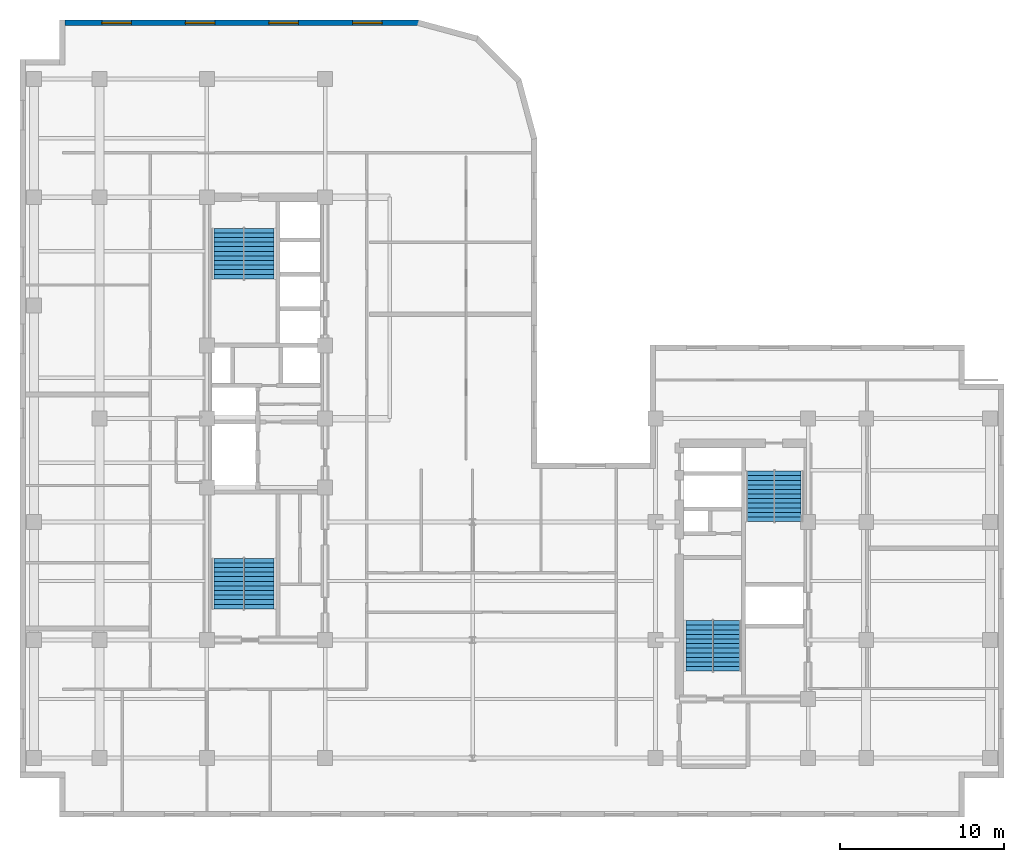
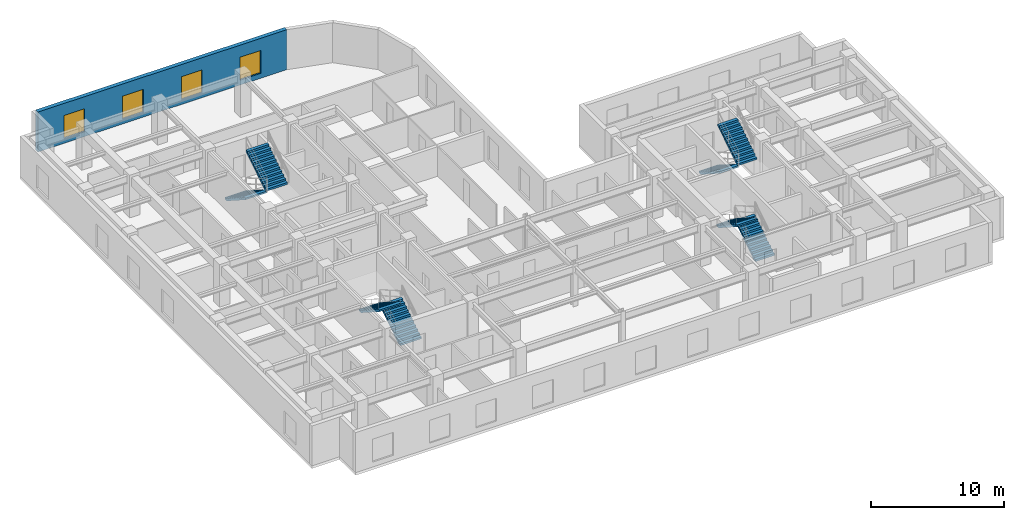
# One storey, part 8 of 11: 8 stair flights, 4 windows, 1 wall, 4 openings, 4 elements without a shape of their own.
"""IFC4 building model written with IfcOpenShell, lengths in metres."""

from ifc_helpers import new_model, entity, si_unit, converted_unit, direction, frame, origin_with_axes, origin_2d_with_axis, place, context, subcontext, project, spatial, polyline, rectangle, outline, extrude, material, layer, layer_set, type_object, element, fill, aggregate, save


model = new_model("IFC4")

# Units and contexts
model_context = context("Model", 3, precision=1e-05, world=origin_with_axes(), true_north=direction((0.0, 1.0)))
body_context = subcontext(model_context, "Body", "Model", "MODEL_VIEW")
ifc_project = project(units=[si_unit("LENGTHUNIT", "METRE"), si_unit("AREAUNIT", "SQUARE_METRE"), si_unit("VOLUMEUNIT", "CUBIC_METRE"), converted_unit("PLANEANGLEUNIT", "DEGREE", entity("IfcPlaneAngleMeasure", 0.017453292519943295), si_unit("PLANEANGLEUNIT", "RADIAN"), dimensions=[0, 0, 0, 0, 0, 0, 0]), si_unit("MASSUNIT", "GRAM", prefix="KILO"), si_unit("THERMODYNAMICTEMPERATUREUNIT", "KELVIN")], contexts=[model_context])

# Site, building, storey
site_placement = place(None, origin_with_axes())
site = spatial("IfcSite", under=ifc_project, at=site_placement, CompositionType="ELEMENT")
building_placement = place(site_placement, origin_with_axes())
building = spatial("IfcBuilding", under=site, at=building_placement, Name="Varnlund Millrace Tower", CompositionType="ELEMENT")
storey_placement = place(building_placement, frame((0.0, 0.0, 212.1), z_axis=(0.0, 0.0, 1.0), x_axis=(1.0, 0.0, 0.0)))
storey = spatial("IfcBuildingStorey", under=building, at=storey_placement, Name="L52", CompositionType="ELEMENT", Elevation=212.1)

# Wall, openings, windows
ifc_material_1 = material(Name="Precast concrete C50/60", Category="concrete")
ifc_layer = layer(ifc_material_1, 0.34, Name="Precast concrete C50/60")
ifc_layer_set = layer_set([ifc_layer], Name="Precast concrete C50/60")
wall_type = type_object("IfcWallType", Name="Type-ExtWall-Precast-Upper-340", PredefinedType="SOLIDWALL", material=ifc_layer_set)
wall_placement = place(storey_placement, frame((2.74, 48.43, 0.0), z_axis=(0.0, 0.0, 1.0), x_axis=(1.0, 0.0, 0.0)))
wall = element("IfcWall", 1, at=wall_placement, inside=storey, type_object=wall_type, Name="Type-ExtWall-Precast-Upper-340", PredefinedType="SOLIDWALL", context=body_context, shape_type="SweptSolid", body=[
    extrude(outline(polyline([(0.0, -0.17), (21.585, -0.17), (21.585, 0.17), (0.0, 0.17), (0.0, -0.17)])), origin_with_axes(), (0.0, 0.0, 1.0), 3.66),
])
opening_1_placement = place(wall_placement, frame((3.148, 0.0, 0.45), z_axis=(0.0, 0.0, 1.0), x_axis=(1.0, 0.0, 0.0)))
opening_1 = element("IfcOpeningElement", 2, at=opening_1_placement, cuts=wall, Name="Opening L52:WN-25", PredefinedType="OPENING", context=body_context, shape_type="SweptSolid", body=[
    extrude(rectangle(XDim=1.8, YDim=0.36, at=origin_2d_with_axis()), origin_with_axes(), (0.0, 0.0, 1.0), 2.1),
])
opening_2_placement = place(wall_placement, frame((8.244, 0.0, 0.45), z_axis=(0.0, 0.0, 1.0), x_axis=(1.0, 0.0, 0.0)))
opening_2 = element("IfcOpeningElement", 3, at=opening_2_placement, cuts=wall, Name="Opening L52:WN-26", PredefinedType="OPENING", context=body_context, shape_type="SweptSolid", body=[
    extrude(rectangle(XDim=1.8, YDim=0.36, at=origin_2d_with_axis()), origin_with_axes(), (0.0, 0.0, 1.0), 2.1),
])
opening_3_placement = place(wall_placement, frame((13.341, 0.0, 0.45), z_axis=(0.0, 0.0, 1.0), x_axis=(1.0, 0.0, 0.0)))
opening_3 = element("IfcOpeningElement", 4, at=opening_3_placement, cuts=wall, Name="Opening L52:WN-27", PredefinedType="OPENING", context=body_context, shape_type="SweptSolid", body=[
    extrude(rectangle(XDim=1.8, YDim=0.36, at=origin_2d_with_axis()), origin_with_axes(), (0.0, 0.0, 1.0), 2.1),
])
opening_4_placement = place(wall_placement, frame((18.437, 0.0, 0.45), z_axis=(0.0, 0.0, 1.0), x_axis=(1.0, 0.0, 0.0)))
opening_4 = element("IfcOpeningElement", 5, at=opening_4_placement, cuts=wall, Name="Opening L52:WN-28", PredefinedType="OPENING", context=body_context, shape_type="SweptSolid", body=[
    extrude(rectangle(XDim=1.8, YDim=0.36, at=origin_2d_with_axis()), origin_with_axes(), (0.0, 0.0, 1.0), 2.1),
])
ifc_material_2 = material(Name="Argon low-e triple glazing in thermally broken bronze frame", Category="glass")
window_type = type_object("IfcWindowType", Name="Type-Window-Punched-1800X2100", PartitioningType="SINGLE_PANEL", PredefinedType="WINDOW", material=ifc_material_2)
window_1_placement = place(wall_placement, frame((3.148, 0.0, 0.45), z_axis=(0.0, 0.0, 1.0), x_axis=(1.0, 0.0, 0.0)))
window_1 = element("IfcWindow", 6, at=window_1_placement, inside=storey, type_object=window_type, Name="Type-Window-Punched-1800X2100", OverallHeight=2.1, OverallWidth=1.8, PredefinedType="WINDOW", context=body_context, shape_type="SweptSolid", body=[
    extrude(rectangle(XDim=1.8, YDim=0.09, at=origin_2d_with_axis()), origin_with_axes(), (0.0, 0.0, 1.0), 2.1),
])
fill(opening_1, window_1)
window_2_placement = place(wall_placement, frame((8.244, 0.0, 0.45), z_axis=(0.0, 0.0, 1.0), x_axis=(1.0, 0.0, 0.0)))
window_2 = element("IfcWindow", 7, at=window_2_placement, inside=storey, type_object=window_type, Name="Type-Window-Punched-1800X2100", OverallHeight=2.1, OverallWidth=1.8, PredefinedType="WINDOW", context=body_context, shape_type="SweptSolid", body=[
    extrude(rectangle(XDim=1.8, YDim=0.09, at=origin_2d_with_axis()), origin_with_axes(), (0.0, 0.0, 1.0), 2.1),
])
fill(opening_2, window_2)
window_3_placement = place(wall_placement, frame((13.341, 0.0, 0.45), z_axis=(0.0, 0.0, 1.0), x_axis=(1.0, 0.0, 0.0)))
window_3 = element("IfcWindow", 8, at=window_3_placement, inside=storey, type_object=window_type, Name="Type-Window-Punched-1800X2100", OverallHeight=2.1, OverallWidth=1.8, PredefinedType="WINDOW", context=body_context, shape_type="SweptSolid", body=[
    extrude(rectangle(XDim=1.8, YDim=0.09, at=origin_2d_with_axis()), origin_with_axes(), (0.0, 0.0, 1.0), 2.1),
])
fill(opening_3, window_3)
window_4_placement = place(wall_placement, frame((18.437, 0.0, 0.45), z_axis=(0.0, 0.0, 1.0), x_axis=(1.0, 0.0, 0.0)))
window_4 = element("IfcWindow", 9, at=window_4_placement, inside=storey, type_object=window_type, Name="Type-Window-Punched-1800X2100", OverallHeight=2.1, OverallWidth=1.8, PredefinedType="WINDOW", context=body_context, shape_type="SweptSolid", body=[
    extrude(rectangle(XDim=1.8, YDim=0.09, at=origin_2d_with_axis()), origin_with_axes(), (0.0, 0.0, 1.0), 2.1),
])
fill(opening_4, window_4)

# Stair, stair flights
ifc_material_3 = material(Name="Concrete C50/60", Category="concrete")
stair_type_1 = type_object("IfcStairType", Name="Type-Stair-Dogleg-165-390", PredefinedType="HALF_TURN_STAIR", material=ifc_material_3)
stair_1_placement = place(storey_placement, origin_with_axes())
stair_1 = element("IfcStair", 10, at=stair_1_placement, inside=storey, type_object=stair_type_1, Name="Type-Stair-Dogleg-165-390", PredefinedType="HALF_TURN_STAIR")
stair_flight_type_1 = type_object("IfcStairFlightType", Name="Type-Dogleg-Run-165-390", PredefinedType="STRAIGHT", material=ifc_material_1)
stair_flight_1_placement = place(storey_placement, frame((42.225, 8.9, 0.0), z_axis=(1.0, 0.0, 0.0), x_axis=(0.0, 1.0, 0.0)))
stair_flight_1 = element("IfcStairFlight", 11, at=stair_flight_1_placement, type_object=stair_flight_type_1, Name="ST-B1 flight 1", NumberOfRisers=11, NumberOfTreads=11, PredefinedType="STRAIGHT", RiserHeight=0.177273, TreadLength=0.28, context=body_context, shape_type="SweptSolid", body=[
    extrude(outline(polyline([(0.0, 0.0), (0.0, 0.177273), (0.28, 0.177273), (0.28, 0.354545), (0.56, 0.354545), (0.56, 0.531818), (0.84, 0.531818), (0.84, 0.709091), (1.12, 0.709091), (1.12, 0.886364), (1.4, 0.886364), (1.4, 1.063636), (1.68, 1.063636), (1.68, 1.240909), (1.96, 1.240909), (1.96, 1.418182), (2.24, 1.418182), (2.24, 1.595454), (2.52, 1.595454), (2.52, 1.772727), (2.8, 1.772727), (2.8, 1.95), (3.08, 1.95), (3.08, 1.8), (0.28, 0.0), (0.0, 0.0)])), origin_with_axes(), (0.0, 0.0, 1.0), 1.65),
])
stair_flight_2_placement = place(storey_placement, frame((42.275, 11.98, 1.95), z_axis=(-1.0, 0.0, 0.0), x_axis=(0.0, -1.0, 0.0)))
stair_flight_2 = element("IfcStairFlight", 12, at=stair_flight_2_placement, type_object=stair_flight_type_1, Name="ST-B1 flight 2", NumberOfRisers=11, NumberOfTreads=11, PredefinedType="STRAIGHT", RiserHeight=0.177273, TreadLength=0.28, context=body_context, shape_type="SweptSolid", body=[
    extrude(outline(polyline([(0.0, 0.0), (0.0, 0.177273), (0.28, 0.177273), (0.28, 0.354545), (0.56, 0.354545), (0.56, 0.531818), (0.84, 0.531818), (0.84, 0.709091), (1.12, 0.709091), (1.12, 0.886364), (1.4, 0.886364), (1.4, 1.063636), (1.68, 1.063636), (1.68, 1.240909), (1.96, 1.240909), (1.96, 1.418182), (2.24, 1.418182), (2.24, 1.595454), (2.52, 1.595454), (2.52, 1.772727), (2.8, 1.772727), (2.8, 1.95), (3.08, 1.95), (3.08, 1.8), (0.28, 0.0), (0.0, 0.0)])), origin_with_axes(), (0.0, 0.0, 1.0), 1.65),
])
aggregate(stair_1, [stair_flight_1, stair_flight_2])

stair_2_placement = place(storey_placement, origin_with_axes())
stair_2 = element("IfcStair", 13, at=stair_2_placement, inside=storey, type_object=stair_type_1, Name="Type-Stair-Dogleg-165-390", PredefinedType="HALF_TURN_STAIR")
stair_flight_3_placement = place(storey_placement, frame((46.025, 21.1, 0.0), z_axis=(-1.0, 0.0, 0.0), x_axis=(0.0, -1.0, 0.0)))
stair_flight_3 = element("IfcStairFlight", 14, at=stair_flight_3_placement, type_object=stair_flight_type_1, Name="ST-B2 flight 1", NumberOfRisers=11, NumberOfTreads=11, PredefinedType="STRAIGHT", RiserHeight=0.177273, TreadLength=0.28, context=body_context, shape_type="SweptSolid", body=[
    extrude(outline(polyline([(0.0, 0.0), (0.0, 0.177273), (0.28, 0.177273), (0.28, 0.354545), (0.56, 0.354545), (0.56, 0.531818), (0.84, 0.531818), (0.84, 0.709091), (1.12, 0.709091), (1.12, 0.886364), (1.4, 0.886364), (1.4, 1.063636), (1.68, 1.063636), (1.68, 1.240909), (1.96, 1.240909), (1.96, 1.418182), (2.24, 1.418182), (2.24, 1.595454), (2.52, 1.595454), (2.52, 1.772727), (2.8, 1.772727), (2.8, 1.95), (3.08, 1.95), (3.08, 1.8), (0.28, 0.0), (0.0, 0.0)])), origin_with_axes(), (0.0, 0.0, 1.0), 1.65),
])
stair_flight_4_placement = place(storey_placement, frame((45.975, 18.02, 1.95), z_axis=(1.0, 0.0, 0.0), x_axis=(0.0, 1.0, 0.0)))
stair_flight_4 = element("IfcStairFlight", 15, at=stair_flight_4_placement, type_object=stair_flight_type_1, Name="ST-B2 flight 2", NumberOfRisers=11, NumberOfTreads=11, PredefinedType="STRAIGHT", RiserHeight=0.177273, TreadLength=0.28, context=body_context, shape_type="SweptSolid", body=[
    extrude(outline(polyline([(0.0, 0.0), (0.0, 0.177273), (0.28, 0.177273), (0.28, 0.354545), (0.56, 0.354545), (0.56, 0.531818), (0.84, 0.531818), (0.84, 0.709091), (1.12, 0.709091), (1.12, 0.886364), (1.4, 0.886364), (1.4, 1.063636), (1.68, 1.063636), (1.68, 1.240909), (1.96, 1.240909), (1.96, 1.418182), (2.24, 1.418182), (2.24, 1.595454), (2.52, 1.595454), (2.52, 1.772727), (2.8, 1.772727), (2.8, 1.95), (3.08, 1.95), (3.08, 1.8), (0.28, 0.0), (0.0, 0.0)])), origin_with_axes(), (0.0, 0.0, 1.0), 1.65),
])
aggregate(stair_2, [stair_flight_3, stair_flight_4])

stair_type_2 = type_object("IfcStairType", Name="Type-Stair-Dogleg-185-390", PredefinedType="HALF_TURN_STAIR", material=ifc_material_3)
stair_3_placement = place(storey_placement, origin_with_axes())
stair_3 = element("IfcStair", 16, at=stair_3_placement, inside=storey, type_object=stair_type_2, Name="Type-Stair-Dogleg-185-390", PredefinedType="HALF_TURN_STAIR")
stair_flight_type_2 = type_object("IfcStairFlightType", Name="Type-Dogleg-Run-185-390", PredefinedType="STRAIGHT", material=ifc_material_1)
stair_flight_5_placement = place(storey_placement, frame((13.625, 12.7, 0.0), z_axis=(1.0, 0.0, 0.0), x_axis=(0.0, 1.0, 0.0)))
stair_flight_5 = element("IfcStairFlight", 17, at=stair_flight_5_placement, type_object=stair_flight_type_2, Name="ST-A1 flight 1", NumberOfRisers=11, NumberOfTreads=11, PredefinedType="STRAIGHT", RiserHeight=0.177273, TreadLength=0.28, context=body_context, shape_type="SweptSolid", body=[
    extrude(outline(polyline([(0.0, 0.0), (0.0, 0.177273), (0.28, 0.177273), (0.28, 0.354545), (0.56, 0.354545), (0.56, 0.531818), (0.84, 0.531818), (0.84, 0.709091), (1.12, 0.709091), (1.12, 0.886364), (1.4, 0.886364), (1.4, 1.063636), (1.68, 1.063636), (1.68, 1.240909), (1.96, 1.240909), (1.96, 1.418182), (2.24, 1.418182), (2.24, 1.595454), (2.52, 1.595454), (2.52, 1.772727), (2.8, 1.772727), (2.8, 1.95), (3.08, 1.95), (3.08, 1.8), (0.28, 0.0), (0.0, 0.0)])), origin_with_axes(), (0.0, 0.0, 1.0), 1.85),
])
stair_flight_6_placement = place(storey_placement, frame((13.675, 15.78, 1.95), z_axis=(-1.0, 0.0, 0.0), x_axis=(0.0, -1.0, 0.0)))
stair_flight_6 = element("IfcStairFlight", 18, at=stair_flight_6_placement, type_object=stair_flight_type_2, Name="ST-A1 flight 2", NumberOfRisers=11, NumberOfTreads=11, PredefinedType="STRAIGHT", RiserHeight=0.177273, TreadLength=0.28, context=body_context, shape_type="SweptSolid", body=[
    extrude(outline(polyline([(0.0, 0.0), (0.0, 0.177273), (0.28, 0.177273), (0.28, 0.354545), (0.56, 0.354545), (0.56, 0.531818), (0.84, 0.531818), (0.84, 0.709091), (1.12, 0.709091), (1.12, 0.886364), (1.4, 0.886364), (1.4, 1.063636), (1.68, 1.063636), (1.68, 1.240909), (1.96, 1.240909), (1.96, 1.418182), (2.24, 1.418182), (2.24, 1.595454), (2.52, 1.595454), (2.52, 1.772727), (2.8, 1.772727), (2.8, 1.95), (3.08, 1.95), (3.08, 1.8), (0.28, 0.0), (0.0, 0.0)])), origin_with_axes(), (0.0, 0.0, 1.0), 1.85),
])
aggregate(stair_3, [stair_flight_5, stair_flight_6])

stair_4_placement = place(storey_placement, origin_with_axes())
stair_4 = element("IfcStair", 19, at=stair_4_placement, inside=storey, type_object=stair_type_2, Name="Type-Stair-Dogleg-185-390", PredefinedType="HALF_TURN_STAIR")
stair_flight_7_placement = place(storey_placement, frame((13.675, 35.9, 0.0), z_axis=(-1.0, 0.0, 0.0), x_axis=(0.0, -1.0, 0.0)))
stair_flight_7 = element("IfcStairFlight", 20, at=stair_flight_7_placement, type_object=stair_flight_type_2, Name="ST-A2 flight 1", NumberOfRisers=11, NumberOfTreads=11, PredefinedType="STRAIGHT", RiserHeight=0.177273, TreadLength=0.28, context=body_context, shape_type="SweptSolid", body=[
    extrude(outline(polyline([(0.0, 0.0), (0.0, 0.177273), (0.28, 0.177273), (0.28, 0.354545), (0.56, 0.354545), (0.56, 0.531818), (0.84, 0.531818), (0.84, 0.709091), (1.12, 0.709091), (1.12, 0.886364), (1.4, 0.886364), (1.4, 1.063636), (1.68, 1.063636), (1.68, 1.240909), (1.96, 1.240909), (1.96, 1.418182), (2.24, 1.418182), (2.24, 1.595454), (2.52, 1.595454), (2.52, 1.772727), (2.8, 1.772727), (2.8, 1.95), (3.08, 1.95), (3.08, 1.8), (0.28, 0.0), (0.0, 0.0)])), origin_with_axes(), (0.0, 0.0, 1.0), 1.85),
])
stair_flight_8_placement = place(storey_placement, frame((13.625, 32.82, 1.95), z_axis=(1.0, 0.0, 0.0), x_axis=(0.0, 1.0, 0.0)))
stair_flight_8 = element("IfcStairFlight", 21, at=stair_flight_8_placement, type_object=stair_flight_type_2, Name="ST-A2 flight 2", NumberOfRisers=11, NumberOfTreads=11, PredefinedType="STRAIGHT", RiserHeight=0.177273, TreadLength=0.28, context=body_context, shape_type="SweptSolid", body=[
    extrude(outline(polyline([(0.0, 0.0), (0.0, 0.177273), (0.28, 0.177273), (0.28, 0.354545), (0.56, 0.354545), (0.56, 0.531818), (0.84, 0.531818), (0.84, 0.709091), (1.12, 0.709091), (1.12, 0.886364), (1.4, 0.886364), (1.4, 1.063636), (1.68, 1.063636), (1.68, 1.240909), (1.96, 1.240909), (1.96, 1.418182), (2.24, 1.418182), (2.24, 1.595454), (2.52, 1.595454), (2.52, 1.772727), (2.8, 1.772727), (2.8, 1.95), (3.08, 1.95), (3.08, 1.8), (0.28, 0.0), (0.0, 0.0)])), origin_with_axes(), (0.0, 0.0, 1.0), 1.85),
])
aggregate(stair_4, [stair_flight_7, stair_flight_8])

save(model, "model.ifc")
